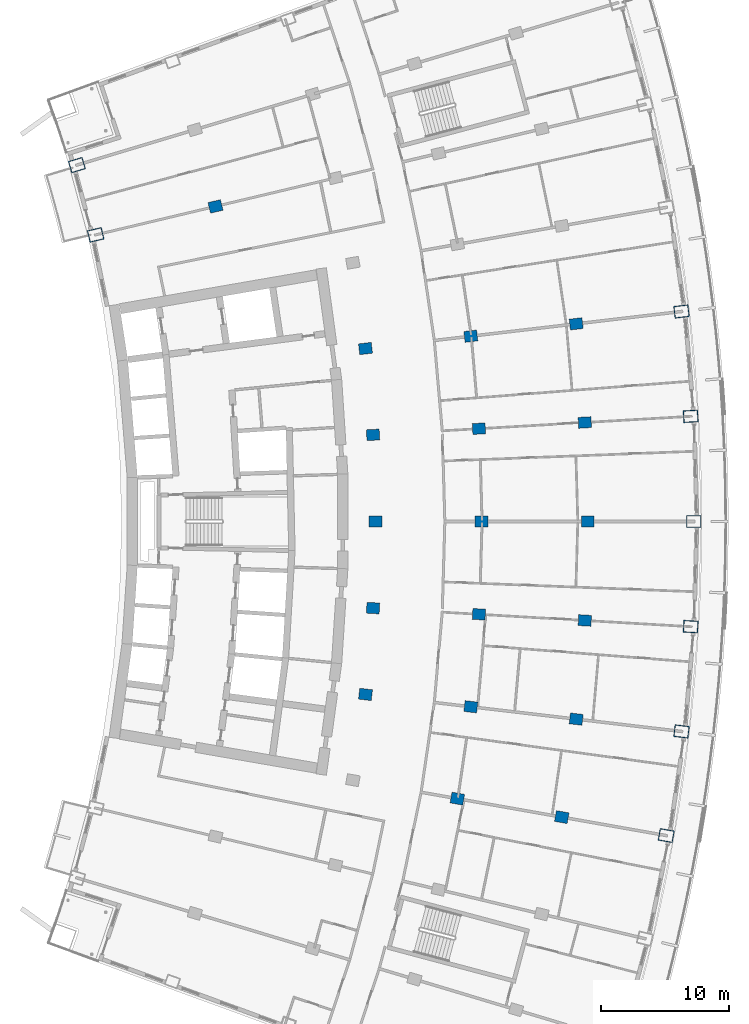
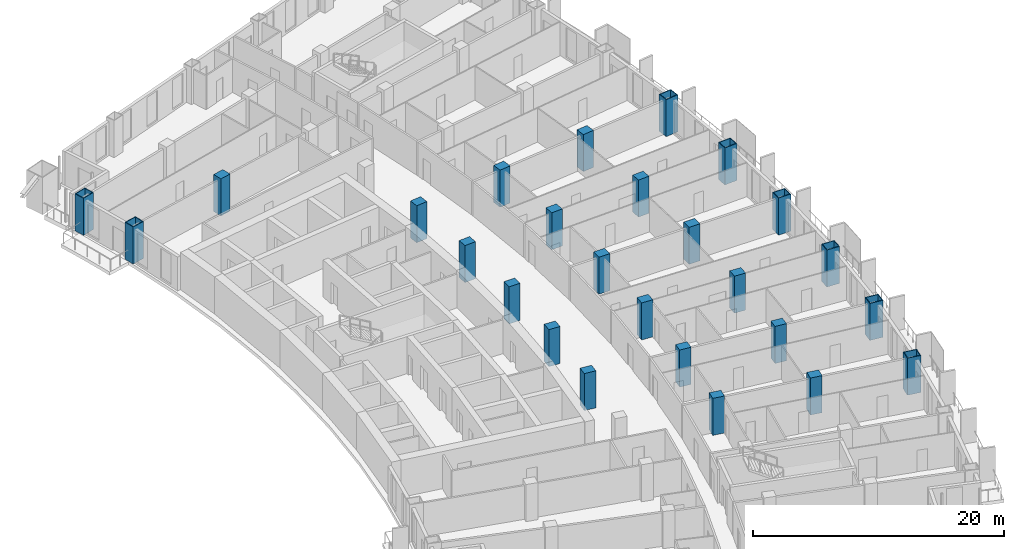
# One storey, part 6 of 25: 26 columns.
"""IFC4 building model written with IfcOpenShell, lengths in metres."""

from ifc_helpers import new_model, si_unit, direction, frame, origin, origin_2d, place, context, subcontext, project, spatial, rectangle, hollow_rectangle, extrude, material, material_profile, profile_set, type_object, element, save


model = new_model("IFC4")

# Units and contexts
model_context = context("Model", 3, precision=1e-05, world=origin(), true_north=direction((0.0, 1.0)))
body_context = subcontext(model_context, "Body", "Model", "MODEL_VIEW")
ifc_project = project(units=[si_unit("LENGTHUNIT", "METRE"), si_unit("AREAUNIT", "SQUARE_METRE"), si_unit("VOLUMEUNIT", "CUBIC_METRE"), si_unit("PLANEANGLEUNIT", "RADIAN"), si_unit("MASSUNIT", "GRAM", prefix="KILO")], contexts=[model_context])

# Site, building, storey
site_placement = place(None, origin())
site = spatial("IfcSite", under=ifc_project, at=site_placement, CompositionType="ELEMENT")
building_placement = place(site_placement, origin())
building = spatial("IfcBuilding", under=site, at=building_placement, Name="Alderwake Tower", CompositionType="ELEMENT")
storey_placement = place(building_placement, frame((0.0, 0.0, 118.39990234375)))
storey = spatial("IfcBuildingStorey", under=building, at=storey_placement, Name="L29", CompositionType="ELEMENT", Elevation=118.39990234375)

# Columns
ifc_material_1 = material(Name="Concrete C70/85", Category="concrete")
ifc_material_profile_1 = material_profile(ifc_material_1, rectangle(XDim=0.85009765625, YDim=1.0, at=origin_2d()), Name="RC 1000X850")
ifc_profile_set_1 = profile_set([ifc_material_profile_1], Name="Concrete C70/85")
column_type_1 = type_object("IfcColumnType", Name="Interior column Z2", PredefinedType="COLUMN", material=ifc_profile_set_1)
for number, where, z_axis, x_axis, name in (
    (1, (42.171875, 39.39892578125, 0.0), (0.0, 0.0, 1.0), (0.174107082075, 0.984726725529, 0.0), "Column R04-C3"),
    (2, (50.31201171875, 37.959716796875, 0.0), (0.0, 0.0, 1.0), (0.174108800747, 0.984726421654, 0.0), "Column R04-C4"),
    (3, (35.0126953125, 47.5205078125, 0.0), (0.0, 0.0, 1.0), (0.116402054316, 0.993202175668, 0.0), "Column R05-C2"),
    (4, (43.223388671875, 46.558349609375, 0.0), (0.0, 0.0, 1.0), (0.116402054316, 0.993202175668, 0.0), "Column R05-C3"),
    (5, (51.43359375, 45.59619140625, 0.0), (0.0, 0.0, 1.0), (0.116402054316, 0.993202175668, 0.0), "Column R05-C4"),
    (6, (35.60302734375, 54.248779296875, 0.0), (0.0, 0.0, 1.0), (0.058301061284, 0.998299046505, 0.0), "Column R06-C2"),
    (7, (43.855712890625, 53.766845703125, 0.0), (0.0, 0.0, 1.0), (0.058299318924, 0.998299148258, 0.0), "Column R06-C3"),
    (8, (52.108154296875, 53.284912109375, 0.0), (0.0, 0.0, 1.0), (0.058301061284, 0.998299046505, 0.0), "Column R06-C4"),
    (9, (35.800048828125, 61.0, 0.0), (0.0, 0.0, 1.0), (0.0, 1.0, 0.0), "Column R07-C2"),
    (10, (44.066650390625, 61.0, 0.0), (0.0, 0.0, 1.0), (0.0, 1.0, 0.0), "Column R07-C3"),
    (11, (52.333251953125, 61.0, 0.0), (0.0, 0.0, 1.0), (0.0, 1.0, 0.0), "Column R07-C4"),
    (12, (35.60302734375, 67.751220703125, 0.0), (0.0, 0.0, 1.0), (-0.058301061284, 0.998299046505, 0.0), "Column R08-C2"),
    (13, (43.855712890625, 68.233154296875, 0.0), (0.0, 0.0, 1.0), (-0.058299318924, 0.998299148258, 0.0), "Column R08-C3"),
    (14, (52.108154296875, 68.715087890625, 0.0), (0.0, 0.0, 1.0), (-0.058301061284, 0.998299046505, 0.0), "Column R08-C4"),
    (15, (35.0126953125, 74.4794921875, 0.0), (0.0, 0.0, 1.0), (-0.116402054316, 0.993202175668, 0.0), "Column R09-C2"),
    (16, (43.223388671875, 75.441650390625, 0.0), (0.0, 0.0, 1.0), (-0.116402054316, 0.993202175668, 0.0), "Column R09-C3"),
    (17, (51.43359375, 76.40380859375, 0.0), (0.0, 0.0, 1.0), (-0.116402054316, 0.993202175668, 0.0), "Column R09-C4"),
    (18, (23.322021484375, 85.555908203125, 0.0), (0.0, 0.0, 1.0), (-0.231221547198, 0.972901123502, 0.0), "Column R11-C1"),
):
    element("IfcColumn", number, at=place(storey_placement, frame(where, z_axis=z_axis, x_axis=x_axis)), inside=storey, type_object=column_type_1, Name=name, PredefinedType="COLUMN", context=body_context, shape_type="SweptSolid", body=[
        extrude(rectangle(XDim=0.85009765625, YDim=1.0, at=origin_2d()), origin(), (0.0, 0.0, 1.0), 3.60009765625),
    ])
ifc_material_2 = material(Name="Steel ASTM A572 Grade 50 concrete filled C70/85", Category="concrete")
ifc_material_profile_2 = material_profile(ifc_material_2, hollow_rectangle(XDim=0.949951171875, YDim=1.14990234375, WallThickness=0.06005859375, at=origin_2d()), Name="BOX 1150X950X60")
ifc_profile_set_2 = profile_set([ifc_material_profile_2], Name="Steel ASTM A572 Grade 50 concrete filled C70/85")
column_type_2 = type_object("IfcColumnType", Name="Perimeter column Z2", PredefinedType="COLUMN", material=ifc_profile_set_2)
for number, where, z_axis, x_axis, name in (
    (19, (58.45263671875, 36.5205078125, 0.0), (0.0, 0.0, 1.0), (0.174108800747, 0.984726421654, 0.0), "Column R04-C5"),
    (20, (59.644287109375, 44.6337890625, 0.0), (0.0, 0.0, 1.0), (0.116402054316, 0.993202175668, 0.0), "Column R05-C5"),
    (21, (60.36083984375, 52.802978515625, 0.0), (0.0, 0.0, 1.0), (0.058299318924, 0.998299148258, 0.0), "Column R06-C5"),
    (22, (60.60009765625, 61.0, 0.0), (0.0, 0.0, 1.0), (0.0, 1.0, 0.0), "Column R07-C5"),
    (23, (60.36083984375, 69.197021484375, 0.0), (0.0, 0.0, 1.0), (-0.058299318924, 0.998299148258, 0.0), "Column R08-C5"),
    (24, (59.644287109375, 77.3662109375, 0.0), (0.0, 0.0, 1.0), (-0.116402054316, 0.993202175668, 0.0), "Column R09-C5"),
    (25, (13.982177734375, 83.3359375, 0.0), (0.0, 0.0, 1.0), (-0.231221547198, 0.972901123502, 0.0), "Column R11-C0"),
    (26, (12.520263671875, 88.777099609375, 0.0), (0.0, 0.0, 1.0), (-0.287549418125, 0.957765802342, 0.0), "Column R12-C0"),
):
    element("IfcColumn", number, at=place(storey_placement, frame(where, z_axis=z_axis, x_axis=x_axis)), inside=storey, type_object=column_type_2, Name=name, PredefinedType="COLUMN", context=body_context, shape_type="SweptSolid", body=[
        extrude(hollow_rectangle(XDim=0.949951171875, YDim=1.14990234375, WallThickness=0.06005859375, at=origin_2d()), origin(), (0.0, 0.0, 1.0), 3.60009765625),
    ])

save(model, "model.ifc")
